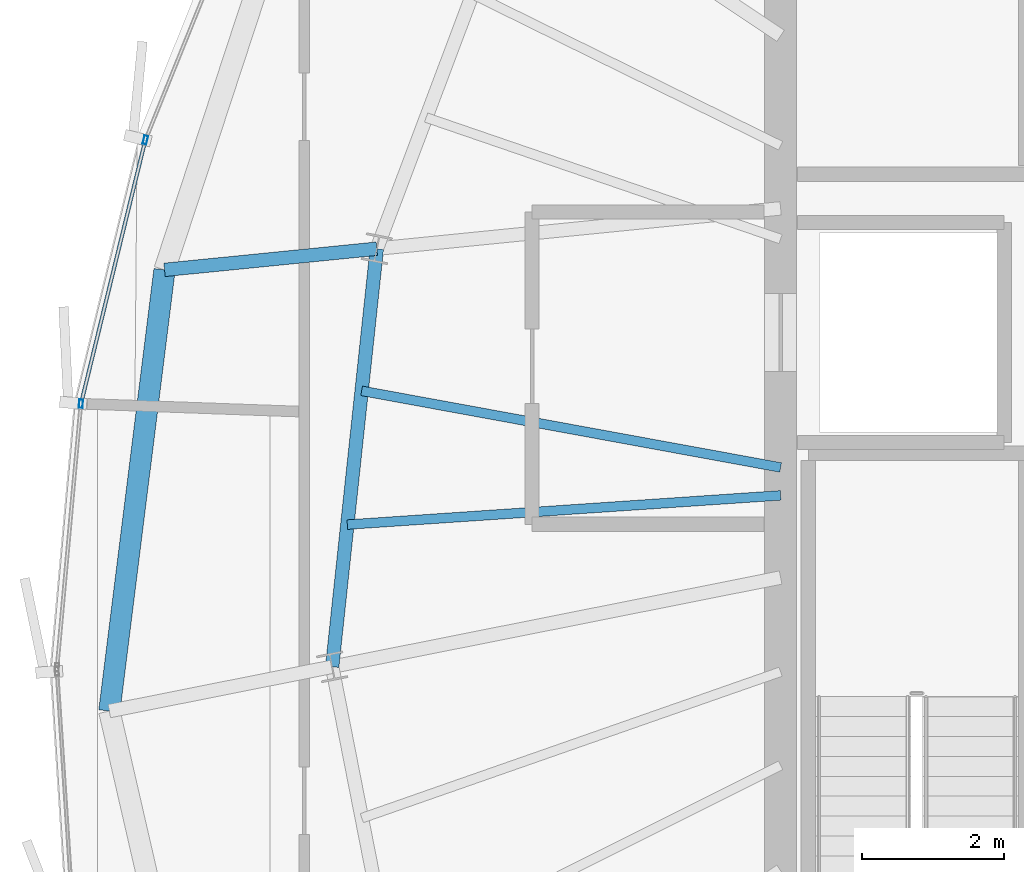
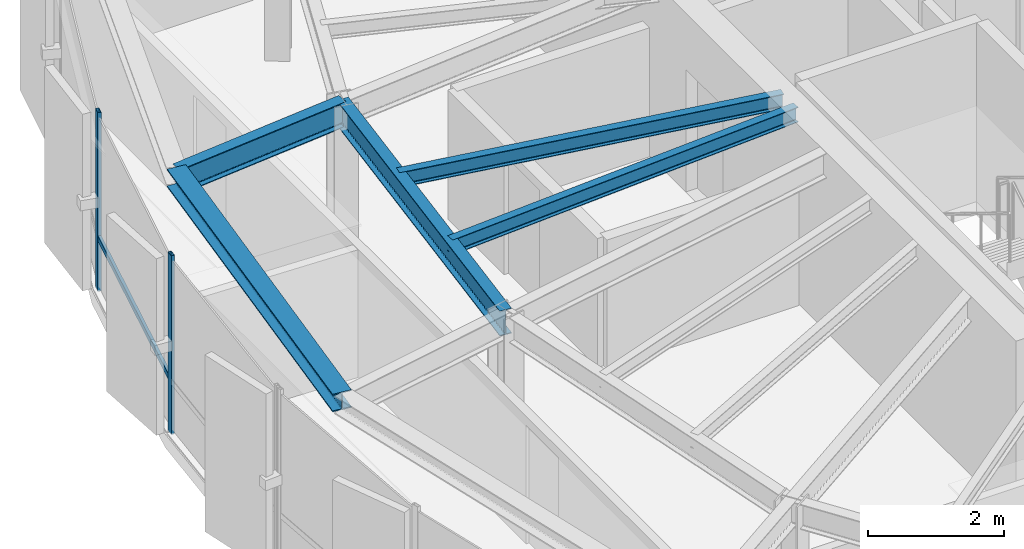
# One storey, part 11 of 31: 5 beams, 3 members, 1 element without a shape of its own.
"""IFC4 building model written with IfcOpenShell, lengths in metres."""

from ifc_helpers import new_model, si_unit, direction, frame, origin, origin_2d, place, context, subcontext, project, spatial, hollow_rectangle, i_section, extrude, source, transform, mapped, material, layer, layer_set, material_profile, profile_set, type_object, element, aggregate, save


model = new_model("IFC4")

# Units and contexts
model_context = context("Model", 3, precision=1e-05, world=origin(), true_north=direction((0.0, 1.0)))
body_context = subcontext(model_context, "Body", "Model", "MODEL_VIEW")
ifc_project = project(units=[si_unit("LENGTHUNIT", "METRE"), si_unit("AREAUNIT", "SQUARE_METRE"), si_unit("VOLUMEUNIT", "CUBIC_METRE"), si_unit("PLANEANGLEUNIT", "RADIAN"), si_unit("MASSUNIT", "GRAM", prefix="KILO"), si_unit("THERMODYNAMICTEMPERATUREUNIT", "KELVIN")], contexts=[model_context])

# Site, building, storey
site_placement = place(None, origin())
site = spatial("IfcSite", under=ifc_project, at=site_placement, CompositionType="ELEMENT")
building_placement = place(site_placement, origin())
building = spatial("IfcBuilding", under=site, at=building_placement, Name="Kethvar Cultural Tower", CompositionType="ELEMENT")
storey_placement = place(building_placement, frame((0.0, 0.0, 290.5)))
storey = spatial("IfcBuildingStorey", under=building, at=storey_placement, Name="L77", CompositionType="ELEMENT", Elevation=290.5)

# Beams
ifc_material_1 = material(Name="Steel S355J2", Category="steel")
ifc_material_profile_1 = material_profile(ifc_material_1, i_section(OverallWidth=0.18994140625, OverallDepth=0.449951171875, WebThickness=0.009521484375, FlangeThickness=0.0146484375, FilletRadius=0.02099609375, at=origin_2d()), Name="Steel S355J2 — IPE450")
ifc_profile_set_1 = profile_set([ifc_material_profile_1], Name="Steel S355J2 — IPE450")
beam_type_1 = type_object("IfcBeamType", Name="BM-IPE450", PredefinedType="BEAM", material=ifc_profile_set_1)
shared_shape_1 = source(origin(), body_context, "Body", "SweptSolid", [
    extrude(i_section(OverallWidth=0.18994140625, OverallDepth=0.449951171875, WebThickness=0.009521484375, FlangeThickness=0.0146484375, FilletRadius=0.02099609375, at=origin_2d()), origin(), (0.0, 0.0, 1.0), 5.92236328125),
])
beam_1_placement = place(storey_placement, frame((32.3125, 30.681884765625, 2.98291015625), z_axis=(-0.106272578913, -0.994337034899, 0.0), x_axis=(0.994337034899, -0.106272578913, 0.0)))
element("IfcBeam", 1, at=beam_1_placement, inside=storey, type_object=beam_type_1, Name="L77 Column Ring Tie Beam CR-08", PredefinedType="BEAM", context=body_context, shape_type="MappedRepresentation", body=[
    mapped(shared_shape_1, transform((0.0, 0.0, 0.0), scale=1.0)),
])
ifc_material_profile_2 = material_profile(ifc_material_1, i_section(OverallWidth=0.135009765625, OverallDepth=0.27001953125, WebThickness=0.006591796875, FlangeThickness=0.01025390625, FilletRadius=0.014892578125, at=origin_2d()), Name="Steel S355J2 — IPE270")
ifc_profile_set_2 = profile_set([ifc_material_profile_2], Name="Steel S355J2 — IPE270")
beam_type_2 = type_object("IfcBeamType", Name="BM-J270", PredefinedType="JOIST", material=ifc_profile_set_2)
shared_shape_2 = source(origin(), body_context, "Body", "SweptSolid", [
    extrude(i_section(OverallWidth=0.135009765625, OverallDepth=0.27001953125, WebThickness=0.006591796875, FlangeThickness=0.01025390625, FilletRadius=0.014892578125, at=origin_2d()), origin(), (0.0, 0.0, 1.0), 5.99951171875),
])
beam_2_placement = place(storey_placement, frame((38.0, 27.60009765625, 3.072998046875), z_axis=(-0.983676616141, 0.179945310742, 0.0), x_axis=(-0.179945310742, -0.983676616141, 0.0)))
element("IfcBeam", 2, at=beam_2_placement, inside=storey, type_object=beam_type_2, Name="L77 Composite Floor Joist J-08A", PredefinedType="JOIST", context=body_context, shape_type="MappedRepresentation", body=[
    mapped(shared_shape_2, transform((0.0, 0.0, 0.0), scale=1.0)),
])
shared_shape_3 = source(origin(), body_context, "Body", "SweptSolid", [
    extrude(i_section(OverallWidth=0.135009765625, OverallDepth=0.27001953125, WebThickness=0.006591796875, FlangeThickness=0.01025390625, FilletRadius=0.014892578125, at=origin_2d()), origin(), (0.0, 0.0, 1.0), 6.116943359375),
])
beam_3_placement = place(storey_placement, frame((38.0, 27.206787109375, 3.072998046875), z_axis=(-0.997733289627, -0.067292516454, 0.0), x_axis=(0.067292516454, -0.997733289627, 0.0)))
element("IfcBeam", 3, at=beam_3_placement, inside=storey, type_object=beam_type_2, Name="L77 Composite Floor Joist J-08B", PredefinedType="JOIST", context=body_context, shape_type="MappedRepresentation", body=[
    mapped(shared_shape_3, transform((0.0, 0.0, 0.0), scale=1.0)),
])
shared_shape_4 = source(origin(), body_context, "Body", "SweptSolid", [
    extrude(i_section(OverallWidth=0.18994140625, OverallDepth=0.449951171875, WebThickness=0.009521484375, FlangeThickness=0.0146484375, FilletRadius=0.02099609375, at=origin_2d()), origin(), (0.0, 0.0, 1.0), 3.00537109375),
])
beam_4_placement = place(storey_placement, frame((32.3125, 30.681884765625, 2.98291015625), z_axis=(-0.995044426317, -0.099431331359, 0.0), x_axis=(0.099431331359, -0.995044426317, 0.0)))
element("IfcBeam", 4, at=beam_4_placement, inside=storey, type_object=beam_type_1, Name="L77 Perimeter Cantilever Beam RC-08", PredefinedType="BEAM", context=body_context, shape_type="MappedRepresentation", body=[
    mapped(shared_shape_4, transform((0.0, 0.0, 0.0), scale=1.0)),
])
ifc_material_profile_3 = material_profile(ifc_material_1, i_section(OverallWidth=0.300048828125, OverallDepth=0.320068359375, WebThickness=0.011474609375, FlangeThickness=0.0205078125, FilletRadius=0.027099609375, at=origin_2d()), Name="Steel S355J2 — HEB320")
ifc_profile_set_3 = profile_set([ifc_material_profile_3], Name="Steel S355J2 — HEB320")
beam_type_3 = type_object("IfcBeamType", Name="BM-SP320", PredefinedType="SPANDREL", material=ifc_profile_set_3)
shared_shape_5 = source(origin(), body_context, "Body", "SweptSolid", [
    extrude(i_section(OverallWidth=0.300048828125, OverallDepth=0.320068359375, WebThickness=0.011474609375, FlangeThickness=0.0205078125, FilletRadius=0.027099609375, at=origin_2d()), origin(), (0.0, 0.0, 1.0), 6.2626953125),
])
beam_5_placement = place(storey_placement, frame((29.322021484375, 30.383056640625, 3.048095703125), z_axis=(-0.124159477825, -0.992262275846, 0.0), x_axis=(0.992262275846, -0.124159477825, 0.0)))
element("IfcBeam", 5, at=beam_5_placement, inside=storey, type_object=beam_type_3, Name="L77 Perimeter Spandrel Beam SP-08", PredefinedType="SPANDREL", context=body_context, shape_type="MappedRepresentation", body=[
    mapped(shared_shape_5, transform((0.0, 0.0, 0.0), scale=1.0)),
])

# Curtain wall, members
ifc_material_2 = material(Name="Aluminium 6063-T6", Category="aluminium")
ifc_layer = layer(ifc_material_2, 0.179931640625, Name="Aluminium 6063-T6", Category="aluminium")
ifc_layer_set = layer_set([ifc_layer], Name="Aluminium 6063-T6 (180 mm)")
curtain_wall_type = type_object("IfcCurtainWallType", Name="CW-SYS-05-Z56", PredefinedType="NOTDEFINED", material=ifc_layer_set)
curtain_wall_placement = place(storey_placement, origin())
curtain_wall = element("IfcCurtainWall", 6, at=curtain_wall_placement, inside=storey, type_object=curtain_wall_type, Name="L77 Curtain Wall Run 02", PredefinedType="NOTDEFINED")
ifc_material_profile_4 = material_profile(ifc_material_2, hollow_rectangle(XDim=0.054931640625, YDim=0.1201171875, WallThickness=0.00390625, at=origin_2d()), Name="Aluminium 6063-T6 — RHS120x55x4")
ifc_profile_set_4 = profile_set([ifc_material_profile_4], Name="Aluminium 6063-T6 — RHS120x55x4")
member_type_1 = type_object("IfcMemberType", Name="CW-SYS-05-Z56-MUL", PredefinedType="MULLION", material=ifc_profile_set_4)
shared_shape_6 = source(origin(), body_context, "Body", "SweptSolid", [
    extrude(hollow_rectangle(XDim=0.054931640625, YDim=0.1201171875, WallThickness=0.00390625, at=origin_2d()), origin(), (0.0, 0.0, 1.0), 3.2099609375),
])
member_1_placement = place(storey_placement, frame((29.05224609375, 32.212646484375, 0.0), z_axis=(0.0, 0.0, 1.0), x_axis=(0.971507769146, -0.237007709767, 0.0)))
member_1 = element("IfcMember", 7, at=member_1_placement, type_object=member_type_1, Name="CW-L77-R02 Mullion 5", PredefinedType="MULLION", context=body_context, shape_type="MappedRepresentation", body=[
    mapped(shared_shape_6, transform((0.0, 0.0, 0.0), scale=1.0)),
])
member_2_placement = place(storey_placement, frame((28.144775390625, 28.498291015625, 0.0), z_axis=(0.0, 0.0, 1.0), x_axis=(0.995915974681, -0.090284945449, 0.0)))
member_2 = element("IfcMember", 8, at=member_2_placement, type_object=member_type_1, Name="CW-L77-R02 Mullion 6", PredefinedType="MULLION", context=body_context, shape_type="MappedRepresentation", body=[
    mapped(shared_shape_6, transform((0.0, 0.0, 0.0), scale=1.0)),
])
ifc_material_profile_5 = material_profile(ifc_material_2, hollow_rectangle(XDim=0.050048828125, YDim=0.10009765625, WallThickness=0.00390625, at=origin_2d()), Name="Aluminium 6063-T6 — RHS100x50x4")
ifc_profile_set_5 = profile_set([ifc_material_profile_5], Name="Aluminium 6063-T6 — RHS100x50x4")
member_type_2 = type_object("IfcMemberType", Name="CW-SYS-05-Z56-TRN", PredefinedType="USERDEFINED", material=ifc_profile_set_5)
shared_shape_7 = source(origin(), body_context, "Body", "SweptSolid", [
    extrude(hollow_rectangle(XDim=0.050048828125, YDim=0.10009765625, WallThickness=0.00390625, at=origin_2d()), origin(), (0.0, 0.0, 1.0), 3.759521484375),
])
member_3_placement = place(storey_placement, frame((29.042724609375, 32.17431640625, 0.949951171875), z_axis=(-0.237030927923, -0.971502104582, 0.0), x_axis=(0.971502104582, -0.237030927923, 0.0)))
member_3 = element("IfcMember", 9, at=member_3_placement, type_object=member_type_2, Name="CW-L77-R02 Transom 5", ObjectType="TRANSOM", PredefinedType="USERDEFINED", context=body_context, shape_type="MappedRepresentation", body=[
    mapped(shared_shape_7, transform((0.0, 0.0, 0.0), scale=1.0)),
])
aggregate(curtain_wall, [member_1, member_2, member_3])

save(model, "model.ifc")
